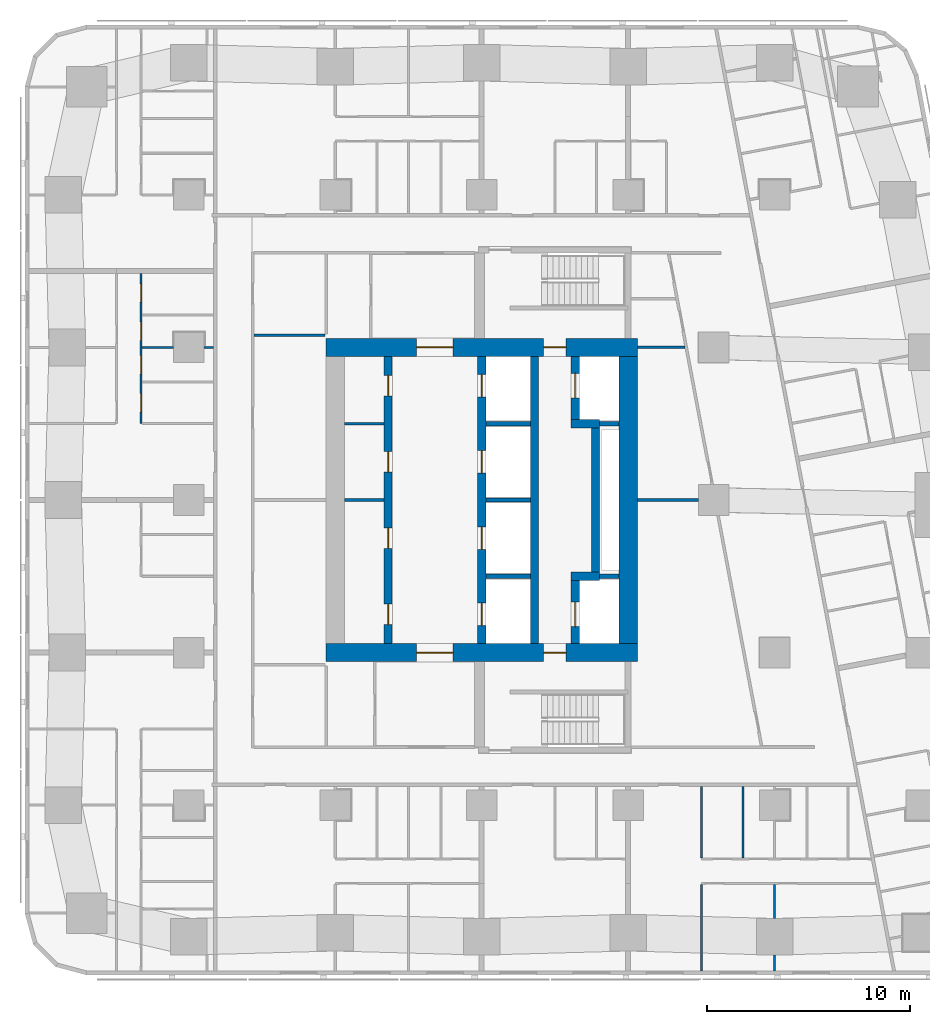
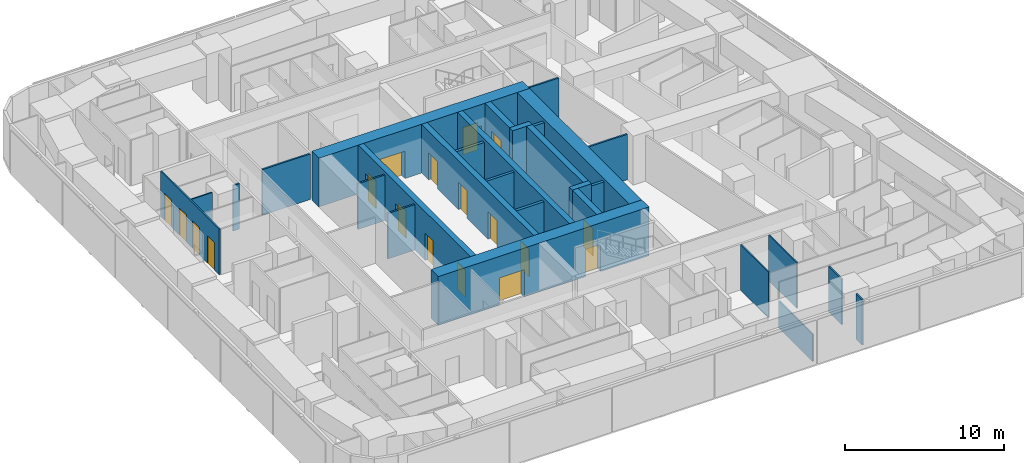
# One storey, part 5 of 15: 29 walls, 18 doors, 18 openings.
"""IFC4 building model written with IfcOpenShell, lengths in metres."""

from ifc_helpers import new_model, si_unit, direction, frame, frame_2d, origin, place, context, subcontext, project, spatial, rectangle, extrude, material, layer, layer_set, type_object, element, fill, save


model = new_model("IFC4")

# Units and contexts
model_context = context("Model", 3, precision=1e-05, world=origin(), true_north=direction((0.0, 1.0)))
body_context = subcontext(model_context, "Body", "Model", "MODEL_VIEW")
ifc_project = project(units=[si_unit("LENGTHUNIT", "METRE"), si_unit("AREAUNIT", "SQUARE_METRE"), si_unit("VOLUMEUNIT", "CUBIC_METRE"), si_unit("PLANEANGLEUNIT", "RADIAN"), si_unit("MASSUNIT", "GRAM", prefix="KILO")], contexts=[model_context])

# Site, building, storey
site_placement = place(None, origin())
site = spatial("IfcSite", under=ifc_project, at=site_placement, CompositionType="ELEMENT")
building_placement = place(site_placement, origin())
building = spatial("IfcBuilding", under=site, at=building_placement, Name="Sheger Commons Tower", CompositionType="ELEMENT")
storey_placement = place(building_placement, frame((0.0, 0.0, 180.800048828125)))
storey = spatial("IfcBuildingStorey", under=building, at=storey_placement, Name="L46", CompositionType="ELEMENT", Elevation=180.800048828125)

# Wall, openings, doors
ifc_material_1 = material(Name="Concrete C50/60", Category="concrete")
ifc_layer_1 = layer(ifc_material_1, 0.39990234375)
ifc_layer_set_1 = layer_set([ifc_layer_1], Name="CORE INNER WALL 400")
wall_type_1 = type_object("IfcWallType", Name="CORE INNER WALL 400", PredefinedType="SHEAR", material=ifc_layer_set_1)
wall_1_placement = place(storey_placement, frame((17.0, 15.449951171875, 0.0), z_axis=(0.0, 0.0, 1.0), x_axis=(0.0, 1.0, 0.0)))
wall_1 = element("IfcWall", 1, at=wall_1_placement, inside=storey, type_object=wall_type_1, Name="Core inner wall A L46", PredefinedType="SHEAR", context=body_context, shape_type="SweptSolid", body=[
    extrude(rectangle(XDim=14.10009765625, YDim=0.39990234375, at=frame_2d((7.050048828125, 0.0))), origin(), (0.0, 0.0, 1.0), 3.75),
])
opening_1_placement = place(wall_1_placement, frame((0.925048828125, 0.0, 0.0)))
opening_1 = element("IfcOpeningElement", 2, at=opening_1_placement, cuts=wall_1, Name="Opening D4", PredefinedType="OPENING", context=body_context, shape_type="SweptSolid", body=[
    extrude(rectangle(XDim=1.0, YDim=2.10009765625, at=frame_2d((0.5, 1.050048828125))), frame((0.0, 0.2099609375, 0.0), z_axis=(0.0, -1.0, 0.0), x_axis=(1.0, 0.0, 0.0)), (0.0, 0.0, 1.0), 0.419921875),
])
opening_2_placement = place(wall_1_placement, frame((4.675048828125, 0.0, 0.0)))
opening_2 = element("IfcOpeningElement", 3, at=opening_2_placement, cuts=wall_1, Name="Opening D4", PredefinedType="OPENING", context=body_context, shape_type="SweptSolid", body=[
    extrude(rectangle(XDim=1.0, YDim=2.10009765625, at=frame_2d((0.5, 1.050048828125))), frame((0.0, 0.2099609375, 0.0), z_axis=(0.0, -1.0, 0.0), x_axis=(1.0, 0.0, 0.0)), (0.0, 0.0, 1.0), 0.419921875),
])
opening_3_placement = place(wall_1_placement, frame((8.425048828125, 0.0, 0.0)))
opening_3 = element("IfcOpeningElement", 4, at=opening_3_placement, cuts=wall_1, Name="Opening D4", PredefinedType="OPENING", context=body_context, shape_type="SweptSolid", body=[
    extrude(rectangle(XDim=1.0, YDim=2.10009765625, at=frame_2d((0.5, 1.050048828125))), frame((0.0, 0.2099609375, 0.0), z_axis=(0.0, -1.0, 0.0), x_axis=(1.0, 0.0, 0.0)), (0.0, 0.0, 1.0), 0.419921875),
])
opening_4_placement = place(wall_1_placement, frame((12.175048828125, 0.0, 0.0)))
opening_4 = element("IfcOpeningElement", 5, at=opening_4_placement, cuts=wall_1, Name="Opening D4", PredefinedType="OPENING", context=body_context, shape_type="SweptSolid", body=[
    extrude(rectangle(XDim=1.0, YDim=2.10009765625, at=frame_2d((0.5, 1.050048828125))), frame((0.0, 0.2099609375, 0.0), z_axis=(0.0, -1.0, 0.0), x_axis=(1.0, 0.0, 0.0)), (0.0, 0.0, 1.0), 0.419921875),
])
ifc_material_2 = material(Name="Steel door set, fire rated", Category="steel")
door_type_1 = type_object("IfcDoorType", Name="SERVICE DOOR 1000x2100", OperationType="NOTDEFINED", PredefinedType="DOOR", material=ifc_material_2)
door_1_placement = place(opening_1_placement, origin())
door_1 = element("IfcDoor", 6, at=door_1_placement, inside=storey, type_object=door_type_1, Name="Residents' pantry and vending room door", OperationType="SINGLE_SWING_LEFT", OverallHeight=2.10009765625, OverallWidth=1.0, PredefinedType="DOOR", context=body_context, shape_type="SweptSolid", body=[
    extrude(rectangle(XDim=1.0, YDim=2.10009765625, at=frame_2d((0.5, 1.050048828125))), frame((0.0, 0.02490234375, 0.0), z_axis=(0.0, -1.0, 0.0), x_axis=(1.0, 0.0, 0.0)), (0.0, 0.0, 1.0), 0.050048828125),
])
fill(opening_1, door_1)
door_2_placement = place(opening_2_placement, origin())
door_2 = element("IfcDoor", 7, at=door_2_placement, inside=storey, type_object=door_type_1, Name="Residents' pantry and vending room door", OperationType="SINGLE_SWING_RIGHT", OverallHeight=2.10009765625, OverallWidth=1.0, PredefinedType="DOOR", context=body_context, shape_type="SweptSolid", body=[
    extrude(rectangle(XDim=1.0, YDim=2.10009765625, at=frame_2d((0.5, 1.050048828125))), frame((0.0, 0.02490234375, 0.0), z_axis=(0.0, -1.0, 0.0), x_axis=(1.0, 0.0, 0.0)), (0.0, 0.0, 1.0), 0.050048828125),
])
fill(opening_2, door_2)
door_3_placement = place(opening_3_placement, origin())
door_3 = element("IfcDoor", 8, at=door_3_placement, inside=storey, type_object=door_type_1, Name="IT and telecom room door", OperationType="SINGLE_SWING_LEFT", OverallHeight=2.10009765625, OverallWidth=1.0, PredefinedType="DOOR", context=body_context, shape_type="SweptSolid", body=[
    extrude(rectangle(XDim=1.0, YDim=2.10009765625, at=frame_2d((0.5, 1.050048828125))), frame((0.0, 0.02490234375, 0.0), z_axis=(0.0, -1.0, 0.0), x_axis=(1.0, 0.0, 0.0)), (0.0, 0.0, 1.0), 0.050048828125),
])
fill(opening_3, door_3)
door_4_placement = place(opening_4_placement, origin())
door_4 = element("IfcDoor", 9, at=door_4_placement, inside=storey, type_object=door_type_1, Name="Cleaner's store door", OperationType="SINGLE_SWING_RIGHT", OverallHeight=2.10009765625, OverallWidth=1.0, PredefinedType="DOOR", context=body_context, shape_type="SweptSolid", body=[
    extrude(rectangle(XDim=1.0, YDim=2.10009765625, at=frame_2d((0.5, 1.050048828125))), frame((0.0, 0.02490234375, 0.0), z_axis=(0.0, -1.0, 0.0), x_axis=(1.0, 0.0, 0.0)), (0.0, 0.0, 1.0), 0.050048828125),
])
fill(opening_4, door_4)

wall_2_placement = place(storey_placement, frame((21.60009765625, 15.449951171875, 0.0), z_axis=(0.0, 0.0, 1.0), x_axis=(0.0, 1.0, 0.0)))
wall_2 = element("IfcWall", 10, at=wall_2_placement, inside=storey, type_object=wall_type_1, Name="Core inner wall L L46", PredefinedType="SHEAR", context=body_context, shape_type="SweptSolid", body=[
    extrude(rectangle(XDim=14.10009765625, YDim=0.39990234375, at=frame_2d((7.050048828125, 0.0))), origin(), (0.0, 0.0, 1.0), 3.75),
])
opening_5_placement = place(wall_2_placement, frame((0.875, 0.0, 0.0)))
opening_5 = element("IfcOpeningElement", 11, at=opening_5_placement, cuts=wall_2, Name="Opening LD", PredefinedType="OPENING", context=body_context, shape_type="SweptSolid", body=[
    extrude(rectangle(XDim=1.10009765625, YDim=2.10009765625, at=frame_2d((0.550048828125, 1.050048828125))), frame((0.0, 0.2099609375, 0.0), z_axis=(0.0, -1.0, 0.0), x_axis=(1.0, 0.0, 0.0)), (0.0, 0.0, 1.0), 0.419921875),
])
opening_6_placement = place(wall_2_placement, frame((4.625, 0.0, 0.0)))
opening_6 = element("IfcOpeningElement", 12, at=opening_6_placement, cuts=wall_2, Name="Opening LD", PredefinedType="OPENING", context=body_context, shape_type="SweptSolid", body=[
    extrude(rectangle(XDim=1.10009765625, YDim=2.10009765625, at=frame_2d((0.550048828125, 1.050048828125))), frame((0.0, 0.2099609375, 0.0), z_axis=(0.0, -1.0, 0.0), x_axis=(1.0, 0.0, 0.0)), (0.0, 0.0, 1.0), 0.419921875),
])
opening_7_placement = place(wall_2_placement, frame((8.375, 0.0, 0.0)))
opening_7 = element("IfcOpeningElement", 13, at=opening_7_placement, cuts=wall_2, Name="Opening LD", PredefinedType="OPENING", context=body_context, shape_type="SweptSolid", body=[
    extrude(rectangle(XDim=1.10009765625, YDim=2.10009765625, at=frame_2d((0.550048828125, 1.050048828125))), frame((0.0, 0.2099609375, 0.0), z_axis=(0.0, -1.0, 0.0), x_axis=(1.0, 0.0, 0.0)), (0.0, 0.0, 1.0), 0.419921875),
])
opening_8_placement = place(wall_2_placement, frame((12.125, 0.0, 0.0)))
opening_8 = element("IfcOpeningElement", 14, at=opening_8_placement, cuts=wall_2, Name="Opening LD", PredefinedType="OPENING", context=body_context, shape_type="SweptSolid", body=[
    extrude(rectangle(XDim=1.10009765625, YDim=2.10009765625, at=frame_2d((0.550048828125, 1.050048828125))), frame((0.0, 0.2099609375, 0.0), z_axis=(0.0, -1.0, 0.0), x_axis=(1.0, 0.0, 0.0)), (0.0, 0.0, 1.0), 0.419921875),
])
ifc_material_3 = material(Name="Steel door set, fire rated", Category="steel")
door_type_2 = type_object("IfcDoorType", Name="LIFT LANDING DOOR 1100x2100", OperationType="DOUBLE_DOOR_SLIDING", PredefinedType="DOOR", material=ifc_material_3)
door_5_placement = place(opening_5_placement, origin())
door_5 = element("IfcDoor", 15, at=door_5_placement, inside=storey, type_object=door_type_2, Name="Lift LB1 landing door", OperationType="DOUBLE_DOOR_SLIDING", OverallHeight=2.10009765625, OverallWidth=1.10009765625, PredefinedType="DOOR", context=body_context, shape_type="SweptSolid", body=[
    extrude(rectangle(XDim=1.10009765625, YDim=2.10009765625, at=frame_2d((0.550048828125, 1.050048828125))), frame((0.0, 0.02490234375, 0.0), z_axis=(0.0, -1.0, 0.0), x_axis=(1.0, 0.0, 0.0)), (0.0, 0.0, 1.0), 0.050048828125),
])
fill(opening_5, door_5)
door_6_placement = place(opening_6_placement, origin())
door_6 = element("IfcDoor", 16, at=door_6_placement, inside=storey, type_object=door_type_2, Name="Lift LB2 landing door", OperationType="DOUBLE_DOOR_SLIDING", OverallHeight=2.10009765625, OverallWidth=1.10009765625, PredefinedType="DOOR", context=body_context, shape_type="SweptSolid", body=[
    extrude(rectangle(XDim=1.10009765625, YDim=2.10009765625, at=frame_2d((0.550048828125, 1.050048828125))), frame((0.0, 0.02490234375, 0.0), z_axis=(0.0, -1.0, 0.0), x_axis=(1.0, 0.0, 0.0)), (0.0, 0.0, 1.0), 0.050048828125),
])
fill(opening_6, door_6)
door_7_placement = place(opening_7_placement, origin())
door_7 = element("IfcDoor", 17, at=door_7_placement, inside=storey, type_object=door_type_2, Name="Lift LB3 landing door", OperationType="DOUBLE_DOOR_SLIDING", OverallHeight=2.10009765625, OverallWidth=1.10009765625, PredefinedType="DOOR", context=body_context, shape_type="SweptSolid", body=[
    extrude(rectangle(XDim=1.10009765625, YDim=2.10009765625, at=frame_2d((0.550048828125, 1.050048828125))), frame((0.0, 0.02490234375, 0.0), z_axis=(0.0, -1.0, 0.0), x_axis=(1.0, 0.0, 0.0)), (0.0, 0.0, 1.0), 0.050048828125),
])
fill(opening_7, door_7)
door_8_placement = place(opening_8_placement, origin())
door_8 = element("IfcDoor", 18, at=door_8_placement, inside=storey, type_object=door_type_2, Name="Lift LB4 landing door", OperationType="DOUBLE_DOOR_SLIDING", OverallHeight=2.10009765625, OverallWidth=1.10009765625, PredefinedType="DOOR", context=body_context, shape_type="SweptSolid", body=[
    extrude(rectangle(XDim=1.10009765625, YDim=2.10009765625, at=frame_2d((0.550048828125, 1.050048828125))), frame((0.0, 0.02490234375, 0.0), z_axis=(0.0, -1.0, 0.0), x_axis=(1.0, 0.0, 0.0)), (0.0, 0.0, 1.0), 0.050048828125),
])
fill(opening_8, door_8)

# Wall
wall_3_placement = place(storey_placement, frame((24.199951171875, 15.449951171875, 0.0), z_axis=(0.0, 0.0, 1.0), x_axis=(0.0, 1.0, 0.0)))
element("IfcWall", 19, at=wall_3_placement, inside=storey, type_object=wall_type_1, Name="Core inner wall B L46", PredefinedType="SHEAR", context=body_context, shape_type="SweptSolid", body=[
    extrude(rectangle(XDim=14.10009765625, YDim=0.39990234375, at=frame_2d((7.050048828125, 0.0))), origin(), (0.0, 0.0, 1.0), 3.75),
])

# Wall, opening, door
wall_4_placement = place(storey_placement, frame((26.199951171875, 15.449951171875, 0.0), z_axis=(0.0, 0.0, 1.0), x_axis=(0.0, 1.0, 0.0)))
wall_4 = element("IfcWall", 20, at=wall_4_placement, inside=storey, type_object=wall_type_1, Name="Core inner wall F L46", PredefinedType="SHEAR", context=body_context, shape_type="SweptSolid", body=[
    extrude(rectangle(XDim=3.10009765625, YDim=0.39990234375, at=frame_2d((1.550048828125, 0.0))), origin(), (0.0, 0.0, 1.0), 3.75),
])
opening_9_placement = place(wall_4_placement, frame((0.824951171875, 0.0, 0.0)))
opening_9 = element("IfcOpeningElement", 21, at=opening_9_placement, cuts=wall_4, Name="Opening LD2", PredefinedType="OPENING", context=body_context, shape_type="SweptSolid", body=[
    extrude(rectangle(XDim=1.199951171875, YDim=2.10009765625, at=frame_2d((0.60009765625, 1.050048828125))), frame((0.0, 0.2099609375, 0.0), z_axis=(0.0, -1.0, 0.0), x_axis=(1.0, 0.0, 0.0)), (0.0, 0.0, 1.0), 0.419921875),
])
ifc_material_4 = material(Name="Steel door set, fire rated", Category="steel")
door_type_3 = type_object("IfcDoorType", Name="FIREFIGHTING LIFT LANDING DOOR 1200x2100", OperationType="DOUBLE_DOOR_SLIDING", PredefinedType="DOOR", material=ifc_material_4)
door_9_placement = place(opening_9_placement, origin())
door_9 = element("IfcDoor", 22, at=door_9_placement, inside=storey, type_object=door_type_3, Name="Lift FL1 landing door", OperationType="DOUBLE_DOOR_SLIDING", OverallHeight=2.10009765625, OverallWidth=1.199951171875, PredefinedType="DOOR", context=body_context, shape_type="SweptSolid", body=[
    extrude(rectangle(XDim=1.199951171875, YDim=2.10009765625, at=frame_2d((0.60009765625, 1.050048828125))), frame((0.0, 0.02490234375, 0.0), z_axis=(0.0, -1.0, 0.0), x_axis=(1.0, 0.0, 0.0)), (0.0, 0.0, 1.0), 0.050048828125),
])
fill(opening_9, door_9)

# Walls
wall_5_placement = place(storey_placement, frame((26.0, 18.75, 0.0), z_axis=(0.0, 0.0, 1.0), x_axis=(1.0, 0.0, 0.0)))
element("IfcWall", 23, at=wall_5_placement, inside=storey, type_object=wall_type_1, Name="Core inner wall F south return L46", PredefinedType="SHEAR", context=body_context, shape_type="SweptSolid", body=[
    extrude(rectangle(XDim=1.39990234375, YDim=0.39990234375, at=frame_2d((0.699951171875, 0.0))), origin(), (0.0, 0.0, 1.0), 3.75),
])
wall_6_placement = place(storey_placement, frame((27.199951171875, 18.949951171875, 0.0), z_axis=(0.0, 0.0, 1.0), x_axis=(0.0, 1.0, 0.0)))
element("IfcWall", 24, at=wall_6_placement, inside=storey, type_object=wall_type_1, Name="Core inner wall F middle L46", PredefinedType="SHEAR", context=body_context, shape_type="SweptSolid", body=[
    extrude(rectangle(XDim=7.10009765625, YDim=0.39990234375, at=frame_2d((3.550048828125, 0.0))), origin(), (0.0, 0.0, 1.0), 3.75),
])
wall_7_placement = place(storey_placement, frame((26.0, 26.25, 0.0), z_axis=(0.0, 0.0, 1.0), x_axis=(1.0, 0.0, 0.0)))
element("IfcWall", 25, at=wall_7_placement, inside=storey, type_object=wall_type_1, Name="Core inner wall F north return L46", PredefinedType="SHEAR", context=body_context, shape_type="SweptSolid", body=[
    extrude(rectangle(XDim=1.39990234375, YDim=0.39990234375, at=frame_2d((0.699951171875, 0.0))), origin(), (0.0, 0.0, 1.0), 3.75),
])

# Wall, opening, door
wall_8_placement = place(storey_placement, frame((26.199951171875, 26.449951171875, 0.0), z_axis=(0.0, 0.0, 1.0), x_axis=(0.0, 1.0, 0.0)))
wall_8 = element("IfcWall", 26, at=wall_8_placement, inside=storey, type_object=wall_type_1, Name="Core inner wall F north L46", PredefinedType="SHEAR", context=body_context, shape_type="SweptSolid", body=[
    extrude(rectangle(XDim=3.10009765625, YDim=0.39990234375, at=frame_2d((1.550048828125, 0.0))), origin(), (0.0, 0.0, 1.0), 3.75),
])
opening_10_placement = place(wall_8_placement, frame((1.074951171875, 0.0, 0.0)))
opening_10 = element("IfcOpeningElement", 27, at=opening_10_placement, cuts=wall_8, Name="Opening LD2", PredefinedType="OPENING", context=body_context, shape_type="SweptSolid", body=[
    extrude(rectangle(XDim=1.199951171875, YDim=2.10009765625, at=frame_2d((0.60009765625, 1.050048828125))), frame((0.0, 0.2099609375, 0.0), z_axis=(0.0, -1.0, 0.0), x_axis=(1.0, 0.0, 0.0)), (0.0, 0.0, 1.0), 0.419921875),
])
door_10_placement = place(opening_10_placement, origin())
door_10 = element("IfcDoor", 28, at=door_10_placement, inside=storey, type_object=door_type_3, Name="Lift FL2 landing door", OperationType="DOUBLE_DOOR_SLIDING", OverallHeight=2.10009765625, OverallWidth=1.199951171875, PredefinedType="DOOR", context=body_context, shape_type="SweptSolid", body=[
    extrude(rectangle(XDim=1.199951171875, YDim=2.10009765625, at=frame_2d((0.60009765625, 1.050048828125))), frame((0.0, 0.02490234375, 0.0), z_axis=(0.0, -1.0, 0.0), x_axis=(1.0, 0.0, 0.0)), (0.0, 0.0, 1.0), 0.050048828125),
])
fill(opening_10, door_10)

# Wall, openings, doors
ifc_material_5 = material(Name="Concrete C50/60", Category="concrete")
ifc_layer_2 = layer(ifc_material_5, 0.89990234375)
ifc_layer_set_2 = layer_set([ifc_layer_2], Name="CORE WALL 900")
wall_type_2 = type_object("IfcWallType", Name="CORE WALL 900", PredefinedType="SHEAR", material=ifc_layer_set_2)
wall_9_placement = place(storey_placement, frame((13.949951171875, 15.0, 0.0), z_axis=(0.0, 0.0, 1.0), x_axis=(1.0, 0.0, 0.0)))
wall_9 = element("IfcWall", 29, at=wall_9_placement, inside=storey, type_object=wall_type_2, Name="Core wall south L46", PredefinedType="SHEAR", context=body_context, shape_type="SweptSolid", body=[
    extrude(rectangle(XDim=15.300048828125, YDim=0.89990234375, at=frame_2d((7.64990234375, 0.0))), origin(), (0.0, 0.0, 1.0), 3.75),
])
opening_11_placement = place(wall_9_placement, frame((4.449951171875, 0.0, 0.0)))
opening_11 = element("IfcOpeningElement", 30, at=opening_11_placement, cuts=wall_9, Name="Opening D6", PredefinedType="OPENING", context=body_context, shape_type="SweptSolid", body=[
    extrude(rectangle(XDim=1.800048828125, YDim=2.10009765625, at=frame_2d((0.89990234375, 1.050048828125))), frame((0.0, 0.4599609375, 0.0), z_axis=(0.0, -1.0, 0.0), x_axis=(1.0, 0.0, 0.0)), (0.0, 0.0, 1.0), 0.919921875),
])
opening_12_placement = place(wall_9_placement, frame((10.699951171875, 0.0, 0.0)))
opening_12 = element("IfcOpeningElement", 31, at=opening_12_placement, cuts=wall_9, Name="Opening D5", PredefinedType="OPENING", context=body_context, shape_type="SweptSolid", body=[
    extrude(rectangle(XDim=1.10009765625, YDim=2.10009765625, at=frame_2d((0.550048828125, 1.050048828125))), frame((0.0, 0.4599609375, 0.0), z_axis=(0.0, -1.0, 0.0), x_axis=(1.0, 0.0, 0.0)), (0.0, 0.0, 1.0), 0.919921875),
])
ifc_material_6 = material(Name="Steel door set, fire rated", Category="steel")
door_type_4 = type_object("IfcDoorType", Name="LOBBY DOUBLE DOOR 1800x2100", OperationType="DOUBLE_DOOR_SINGLE_SWING", PredefinedType="DOOR", material=ifc_material_6)
door_11_placement = place(opening_11_placement, origin())
door_11 = element("IfcDoor", 32, at=door_11_placement, inside=storey, type_object=door_type_4, Name="Lift lobby door", OperationType="DOUBLE_DOOR_SINGLE_SWING", OverallHeight=2.10009765625, OverallWidth=1.800048828125, PredefinedType="DOOR", context=body_context, shape_type="SweptSolid", body=[
    extrude(rectangle(XDim=1.800048828125, YDim=2.10009765625, at=frame_2d((0.89990234375, 1.050048828125))), frame((0.0, 0.02490234375, 0.0), z_axis=(0.0, -1.0, 0.0), x_axis=(1.0, 0.0, 0.0)), (0.0, 0.0, 1.0), 0.050048828125),
])
fill(opening_11, door_11)
ifc_material_7 = material(Name="Steel door set, fire rated", Category="steel")
door_type_5 = type_object("IfcDoorType", Name="STAIR DOOR 1100x2100", OperationType="NOTDEFINED", PredefinedType="DOOR", material=ifc_material_7)
door_12_placement = place(opening_12_placement, origin())
door_12 = element("IfcDoor", 33, at=door_12_placement, inside=storey, type_object=door_type_5, Name="Fire-fighting lobby door", OperationType="SINGLE_SWING_RIGHT", OverallHeight=2.10009765625, OverallWidth=1.10009765625, PredefinedType="DOOR", context=body_context, shape_type="SweptSolid", body=[
    extrude(rectangle(XDim=1.10009765625, YDim=2.10009765625, at=frame_2d((0.550048828125, 1.050048828125))), frame((0.0, 0.02490234375, 0.0), z_axis=(0.0, -1.0, 0.0), x_axis=(1.0, 0.0, 0.0)), (0.0, 0.0, 1.0), 0.050048828125),
])
fill(opening_12, door_12)

wall_10_placement = place(storey_placement, frame((13.949951171875, 30.0, 0.0), z_axis=(0.0, 0.0, 1.0), x_axis=(1.0, 0.0, 0.0)))
wall_10 = element("IfcWall", 34, at=wall_10_placement, inside=storey, type_object=wall_type_2, Name="Core wall north L46", PredefinedType="SHEAR", context=body_context, shape_type="SweptSolid", body=[
    extrude(rectangle(XDim=15.300048828125, YDim=0.89990234375, at=frame_2d((7.64990234375, 0.0))), origin(), (0.0, 0.0, 1.0), 3.75),
])
opening_13_placement = place(wall_10_placement, frame((4.449951171875, 0.0, 0.0)))
opening_13 = element("IfcOpeningElement", 35, at=opening_13_placement, cuts=wall_10, Name="Opening D6", PredefinedType="OPENING", context=body_context, shape_type="SweptSolid", body=[
    extrude(rectangle(XDim=1.800048828125, YDim=2.10009765625, at=frame_2d((0.89990234375, 1.050048828125))), frame((0.0, 0.4599609375, 0.0), z_axis=(0.0, -1.0, 0.0), x_axis=(1.0, 0.0, 0.0)), (0.0, 0.0, 1.0), 0.919921875),
])
opening_14_placement = place(wall_10_placement, frame((10.699951171875, 0.0, 0.0)))
opening_14 = element("IfcOpeningElement", 36, at=opening_14_placement, cuts=wall_10, Name="Opening D5", PredefinedType="OPENING", context=body_context, shape_type="SweptSolid", body=[
    extrude(rectangle(XDim=1.10009765625, YDim=2.10009765625, at=frame_2d((0.550048828125, 1.050048828125))), frame((0.0, 0.4599609375, 0.0), z_axis=(0.0, -1.0, 0.0), x_axis=(1.0, 0.0, 0.0)), (0.0, 0.0, 1.0), 0.919921875),
])
door_13_placement = place(opening_13_placement, origin())
door_13 = element("IfcDoor", 37, at=door_13_placement, inside=storey, type_object=door_type_4, Name="Lift lobby door", OperationType="DOUBLE_DOOR_SINGLE_SWING", OverallHeight=2.10009765625, OverallWidth=1.800048828125, PredefinedType="DOOR", context=body_context, shape_type="SweptSolid", body=[
    extrude(rectangle(XDim=1.800048828125, YDim=2.10009765625, at=frame_2d((0.89990234375, 1.050048828125))), frame((0.0, 0.02490234375, 0.0), z_axis=(0.0, -1.0, 0.0), x_axis=(1.0, 0.0, 0.0)), (0.0, 0.0, 1.0), 0.050048828125),
])
fill(opening_13, door_13)
door_14_placement = place(opening_14_placement, origin())
door_14 = element("IfcDoor", 38, at=door_14_placement, inside=storey, type_object=door_type_5, Name="Fire-fighting lobby door", OperationType="SINGLE_SWING_RIGHT", OverallHeight=2.10009765625, OverallWidth=1.10009765625, PredefinedType="DOOR", context=body_context, shape_type="SweptSolid", body=[
    extrude(rectangle(XDim=1.10009765625, YDim=2.10009765625, at=frame_2d((0.550048828125, 1.050048828125))), frame((0.0, 0.02490234375, 0.0), z_axis=(0.0, -1.0, 0.0), x_axis=(1.0, 0.0, 0.0)), (0.0, 0.0, 1.0), 0.050048828125),
])
fill(opening_14, door_14)

# Wall
wall_11_placement = place(storey_placement, frame((28.800048828125, 15.449951171875, 0.0), z_axis=(0.0, 0.0, 1.0), x_axis=(0.0, 1.0, 0.0)))
element("IfcWall", 39, at=wall_11_placement, inside=storey, type_object=wall_type_2, Name="Core wall east L46", PredefinedType="SHEAR", context=body_context, shape_type="SweptSolid", body=[
    extrude(rectangle(XDim=14.10009765625, YDim=0.89990234375, at=frame_2d((7.050048828125, 0.0))), origin(), (0.0, 0.0, 1.0), 3.75),
])

# Wall, openings, doors
ifc_material_8 = material(Name="Gypsum board on steel studs", Category="steel")
ifc_layer_3 = layer(ifc_material_8, 0.10009765625)
ifc_layer_set_3 = layer_set([ifc_layer_3], Name="PARTITION 100")
wall_type_3 = type_object("IfcWallType", Name="PARTITION 100", PredefinedType="PARTITIONING", material=ifc_layer_set_3)
wall_12_placement = place(storey_placement, frame((4.85009765625, 26.25, 0.0), z_axis=(0.0, 0.0, 1.0), x_axis=(0.0, 1.0, 0.0)))
wall_12 = element("IfcWall", 40, at=wall_12_placement, inside=storey, type_object=wall_type_3, Name="Partition L46", PredefinedType="PARTITIONING", context=body_context, shape_type="SweptSolid", body=[
    extrude(rectangle(XDim=7.375, YDim=0.10009765625, at=frame_2d((3.6875, 0.0))), origin(), (0.0, 0.0, 1.0), 3.5),
])
opening_15_placement = place(wall_12_placement, frame((0.574951171875, 0.0, 0.0)))
opening_15 = element("IfcOpeningElement", 41, at=opening_15_placement, cuts=wall_12, Name="Opening D2", PredefinedType="OPENING", context=body_context, shape_type="SweptSolid", body=[
    extrude(rectangle(XDim=0.89990234375, YDim=2.10009765625, at=frame_2d((0.449951171875, 1.050048828125))), frame((0.0, 0.06005859375, 0.0), z_axis=(0.0, -1.0, 0.0), x_axis=(1.0, 0.0, 0.0)), (0.0, 0.0, 1.0), 0.1201171875),
])
opening_16_placement = place(wall_12_placement, frame((4.10009765625, 0.0, 0.0)))
opening_16 = element("IfcOpeningElement", 42, at=opening_16_placement, cuts=wall_12, Name="Opening D2", PredefinedType="OPENING", context=body_context, shape_type="SweptSolid", body=[
    extrude(rectangle(XDim=0.89990234375, YDim=2.10009765625, at=frame_2d((0.449951171875, 1.050048828125))), frame((0.0, 0.06005859375, 0.0), z_axis=(0.0, -1.0, 0.0), x_axis=(1.0, 0.0, 0.0)), (0.0, 0.0, 1.0), 0.1201171875),
])
opening_17_placement = place(wall_12_placement, frame((2.449951171875, 0.0, 0.0)))
opening_17 = element("IfcOpeningElement", 43, at=opening_17_placement, cuts=wall_12, Name="Opening D2", PredefinedType="OPENING", context=body_context, shape_type="SweptSolid", body=[
    extrude(rectangle(XDim=0.89990234375, YDim=2.10009765625, at=frame_2d((0.449951171875, 1.050048828125))), frame((0.0, 0.06005859375, 0.0), z_axis=(0.0, -1.0, 0.0), x_axis=(1.0, 0.0, 0.0)), (0.0, 0.0, 1.0), 0.1201171875),
])
opening_18_placement = place(wall_12_placement, frame((5.97509765625, 0.0, 0.0)))
opening_18 = element("IfcOpeningElement", 44, at=opening_18_placement, cuts=wall_12, Name="Opening D2", PredefinedType="OPENING", context=body_context, shape_type="SweptSolid", body=[
    extrude(rectangle(XDim=0.89990234375, YDim=2.10009765625, at=frame_2d((0.449951171875, 1.050048828125))), frame((0.0, 0.06005859375, 0.0), z_axis=(0.0, -1.0, 0.0), x_axis=(1.0, 0.0, 0.0)), (0.0, 0.0, 1.0), 0.1201171875),
])
ifc_material_9 = material(Name="Timber door set", Category="wood")
door_type_6 = type_object("IfcDoorType", Name="INTERNAL DOOR 900x2100", OperationType="NOTDEFINED", PredefinedType="DOOR", material=ifc_material_9)
door_15_placement = place(opening_15_placement, origin())
door_15 = element("IfcDoor", 45, at=door_15_placement, inside=storey, type_object=door_type_6, Name="Bathroom door", OperationType="SINGLE_SWING_RIGHT", OverallHeight=2.10009765625, OverallWidth=0.89990234375, PredefinedType="DOOR", context=body_context, shape_type="SweptSolid", body=[
    extrude(rectangle(XDim=0.89990234375, YDim=2.10009765625, at=frame_2d((0.449951171875, 1.050048828125))), frame((0.0, 0.02490234375, 0.0), z_axis=(0.0, -1.0, 0.0), x_axis=(1.0, 0.0, 0.0)), (0.0, 0.0, 1.0), 0.050048828125),
])
fill(opening_15, door_15)
door_16_placement = place(opening_16_placement, origin())
door_16 = element("IfcDoor", 46, at=door_16_placement, inside=storey, type_object=door_type_6, Name="Shower room door", OperationType="SINGLE_SWING_RIGHT", OverallHeight=2.10009765625, OverallWidth=0.89990234375, PredefinedType="DOOR", context=body_context, shape_type="SweptSolid", body=[
    extrude(rectangle(XDim=0.89990234375, YDim=2.10009765625, at=frame_2d((0.449951171875, 1.050048828125))), frame((0.0, 0.02490234375, 0.0), z_axis=(0.0, -1.0, 0.0), x_axis=(1.0, 0.0, 0.0)), (0.0, 0.0, 1.0), 0.050048828125),
])
fill(opening_16, door_16)
door_17_placement = place(opening_17_placement, origin())
door_17 = element("IfcDoor", 47, at=door_17_placement, inside=storey, type_object=door_type_6, Name="Store door", OperationType="SINGLE_SWING_RIGHT", OverallHeight=2.10009765625, OverallWidth=0.89990234375, PredefinedType="DOOR", context=body_context, shape_type="SweptSolid", body=[
    extrude(rectangle(XDim=0.89990234375, YDim=2.10009765625, at=frame_2d((0.449951171875, 1.050048828125))), frame((0.0, 0.02490234375, 0.0), z_axis=(0.0, -1.0, 0.0), x_axis=(1.0, 0.0, 0.0)), (0.0, 0.0, 1.0), 0.050048828125),
])
fill(opening_17, door_17)
door_18_placement = place(opening_18_placement, origin())
door_18 = element("IfcDoor", 48, at=door_18_placement, inside=storey, type_object=door_type_6, Name="Store door", OperationType="SINGLE_SWING_LEFT", OverallHeight=2.10009765625, OverallWidth=0.89990234375, PredefinedType="DOOR", context=body_context, shape_type="SweptSolid", body=[
    extrude(rectangle(XDim=0.89990234375, YDim=2.10009765625, at=frame_2d((0.449951171875, 1.050048828125))), frame((0.0, 0.02490234375, 0.0), z_axis=(0.0, -1.0, 0.0), x_axis=(1.0, 0.0, 0.0)), (0.0, 0.0, 1.0), 0.050048828125),
])
fill(opening_18, door_18)

# Walls
wall_13_placement = place(storey_placement, frame((4.89990234375, 30.0, 0.0), z_axis=(0.0, 0.0, 1.0), x_axis=(1.0, 0.0, 0.0)))
element("IfcWall", 49, at=wall_13_placement, inside=storey, type_object=wall_type_3, Name="Partition L46", PredefinedType="PARTITIONING", context=body_context, shape_type="SweptSolid", body=[
    extrude(rectangle(XDim=1.549072265625, YDim=0.10009765625, at=frame_2d((0.7744140625, 0.0))), origin(), (0.0, 0.0, 1.0), 3.5),
])
wall_14_placement = place(storey_placement, frame((7.950927734375, 30.0, 0.0), z_axis=(0.0, 0.0, 1.0), x_axis=(1.0, 0.0, 0.0)))
element("IfcWall", 50, at=wall_14_placement, inside=storey, type_object=wall_type_3, Name="Partition L46", PredefinedType="PARTITIONING", context=body_context, shape_type="SweptSolid", body=[
    extrude(rectangle(XDim=0.47412109375, YDim=0.10009765625, at=frame_2d((0.237060546875, 0.0))), origin(), (0.0, 0.0, 1.0), 3.5),
])
wall_15_placement = place(storey_placement, frame((32.39990234375, -0.64990234375, 0.0), z_axis=(0.0, 0.0, 1.0), x_axis=(0.0, 1.0, 0.0)))
element("IfcWall", 51, at=wall_15_placement, inside=storey, type_object=wall_type_3, Name="Partition L46", PredefinedType="PARTITIONING", context=body_context, shape_type="SweptSolid", body=[
    extrude(rectangle(XDim=4.25, YDim=0.10009765625, at=frame_2d((2.125, 0.0))), origin(), (0.0, 0.0, 1.0), 2.099853515625),
])
wall_16_placement = place(storey_placement, frame((36.0, -0.64990234375, 0.0), z_axis=(0.0, 0.0, 1.0), x_axis=(0.0, 1.0, 0.0)))
element("IfcWall", 52, at=wall_16_placement, inside=storey, type_object=wall_type_3, Name="Partition L46", PredefinedType="PARTITIONING", context=body_context, shape_type="SweptSolid", body=[
    extrude(rectangle(XDim=0.77392578125, YDim=0.10009765625, at=frame_2d((0.386962890625, 0.0))), origin(), (0.0, 0.0, 1.0), 3.5),
])
wall_17_placement = place(storey_placement, frame((36.0, 1.926025390625, 0.0), z_axis=(0.0, 0.0, 1.0), x_axis=(0.0, 1.0, 0.0)))
element("IfcWall", 53, at=wall_17_placement, inside=storey, type_object=wall_type_3, Name="Partition L46", PredefinedType="PARTITIONING", context=body_context, shape_type="SweptSolid", body=[
    extrude(rectangle(XDim=1.674072265625, YDim=0.10009765625, at=frame_2d((0.8369140625, 0.0))), origin(), (0.0, 0.0, 1.0), 3.5),
])
for number, where, z_axis, x_axis, name in (
    (54, (32.39990234375, 4.89990234375, 0.0), (0.0, 0.0, 1.0), (0.0, 1.0, 0.0), "Partition L46"),
    (55, (34.449951171875, 4.89990234375, 0.0), (0.0, 0.0, 1.0), (0.0, 1.0, 0.0), "Partition L46"),
):
    element("IfcWall", number, at=place(storey_placement, frame(where, z_axis=z_axis, x_axis=x_axis)), inside=storey, type_object=wall_type_3, Name=name, PredefinedType="PARTITIONING", context=body_context, shape_type="SweptSolid", body=[
        extrude(rectangle(XDim=3.525146484375, YDim=0.10009765625, at=frame_2d((1.7626953125, 0.0))), origin(), (0.0, 0.0, 1.0), 3.5),
    ])
ifc_material_10 = material(Name="Gypsum board on steel studs, two layers each side, fire rated", Category="steel")
ifc_layer_4 = layer(ifc_material_10, 0.125)
ifc_layer_set_4 = layer_set([ifc_layer_4], Name="SERVICE WALL 125")
wall_type_4 = type_object("IfcWallType", Name="SERVICE WALL 125", PredefinedType="PARTITIONING", material=ifc_layer_set_4)
wall_18_placement = place(storey_placement, frame((10.4130859375, 30.60009765625, 0.0), z_axis=(0.0, 0.0, 1.0), x_axis=(1.0, 0.0, 0.0)))
element("IfcWall", 56, at=wall_18_placement, inside=storey, type_object=wall_type_4, Name="Service room wall L46", PredefinedType="PARTITIONING", context=body_context, shape_type="SweptSolid", body=[
    extrude(rectangle(XDim=3.474853515625, YDim=0.125, at=frame_2d((1.7373046875, 0.0))), origin(), (0.0, 0.0, 1.0), 3.5),
])
wall_19_placement = place(storey_placement, frame((29.25, 22.5, 0.0), z_axis=(0.0, 0.0, 1.0), x_axis=(1.0, 0.0, 0.0)))
element("IfcWall", 57, at=wall_19_placement, inside=storey, type_object=wall_type_4, Name="Service room wall L46", PredefinedType="PARTITIONING", context=body_context, shape_type="SweptSolid", body=[
    extrude(rectangle(XDim=2.9990234375, YDim=0.125, at=frame_2d((1.49951171875, 0.0))), origin(), (0.0, 0.0, 1.0), 3.5),
])
wall_20_placement = place(storey_placement, frame((29.25, 30.0, 0.0), z_axis=(0.0, 0.0, 1.0), x_axis=(1.0, 0.0, 0.0)))
element("IfcWall", 58, at=wall_20_placement, inside=storey, type_object=wall_type_4, Name="Service room wall L46", PredefinedType="PARTITIONING", context=body_context, shape_type="SweptSolid", body=[
    extrude(rectangle(XDim=2.342041015625, YDim=0.125, at=frame_2d((1.1708984375, 0.0))), origin(), (0.0, 0.0, 1.0), 3.5),
])
for number, where, z_axis, x_axis, name in (
    (59, (14.85009765625, 22.5, 0.0), (0.0, 0.0, 1.0), (1.0, 0.0, 0.0), "Service room wall L46"),
    (60, (14.85009765625, 26.25, 0.0), (0.0, 0.0, 1.0), (1.0, 0.0, 0.0), "Service room wall L46"),
):
    element("IfcWall", number, at=place(storey_placement, frame(where, z_axis=z_axis, x_axis=x_axis)), inside=storey, type_object=wall_type_4, Name=name, PredefinedType="PARTITIONING", context=body_context, shape_type="SweptSolid", body=[
        extrude(rectangle(XDim=1.949951171875, YDim=0.125, at=frame_2d((0.97509765625, 0.0))), origin(), (0.0, 0.0, 1.0), 3.5),
    ])
ifc_material_11 = material(Name="Hollow concrete block masonry", Category="masonry")
ifc_layer_5 = layer(ifc_material_11, 0.199951171875)
ifc_layer_set_5 = layer_set([ifc_layer_5], Name="SHAFT WALL 200")
wall_type_5 = type_object("IfcWallType", Name="SHAFT WALL 200", PredefinedType="SOLIDWALL", material=ifc_layer_set_5)
for number, where, z_axis, x_axis, name in (
    (61, (21.800048828125, 18.75, 0.0), (0.0, 0.0, 1.0), (1.0, 0.0, 0.0), "Lift shaft wall L46"),
    (62, (21.800048828125, 22.5, 0.0), (0.0, 0.0, 1.0), (1.0, 0.0, 0.0), "Lift shaft wall L46"),
    (63, (21.800048828125, 26.25, 0.0), (0.0, 0.0, 1.0), (1.0, 0.0, 0.0), "Lift shaft wall L46"),
):
    element("IfcWall", number, at=place(storey_placement, frame(where, z_axis=z_axis, x_axis=x_axis)), inside=storey, type_object=wall_type_5, Name=name, PredefinedType="SOLIDWALL", context=body_context, shape_type="SweptSolid", body=[
        extrude(rectangle(XDim=2.199951171875, YDim=0.199951171875, at=frame_2d((1.10009765625, 0.0))), origin(), (0.0, 0.0, 1.0), 3.5),
    ])
for number, where, z_axis, x_axis, name in (
    (64, (27.39990234375, 18.75, 0.0), (0.0, 0.0, 1.0), (1.0, 0.0, 0.0), "Lift shaft wall L46"),
    (65, (27.39990234375, 26.25, 0.0), (0.0, 0.0, 1.0), (1.0, 0.0, 0.0), "Lift shaft wall L46"),
):
    element("IfcWall", number, at=place(storey_placement, frame(where, z_axis=z_axis, x_axis=x_axis)), inside=storey, type_object=wall_type_5, Name=name, PredefinedType="SOLIDWALL", context=body_context, shape_type="SweptSolid", body=[
        extrude(rectangle(XDim=0.9501953125, YDim=0.199951171875, at=frame_2d((0.47509765625, 0.0))), origin(), (0.0, 0.0, 1.0), 3.5),
    ])

save(model, "model.ifc")
